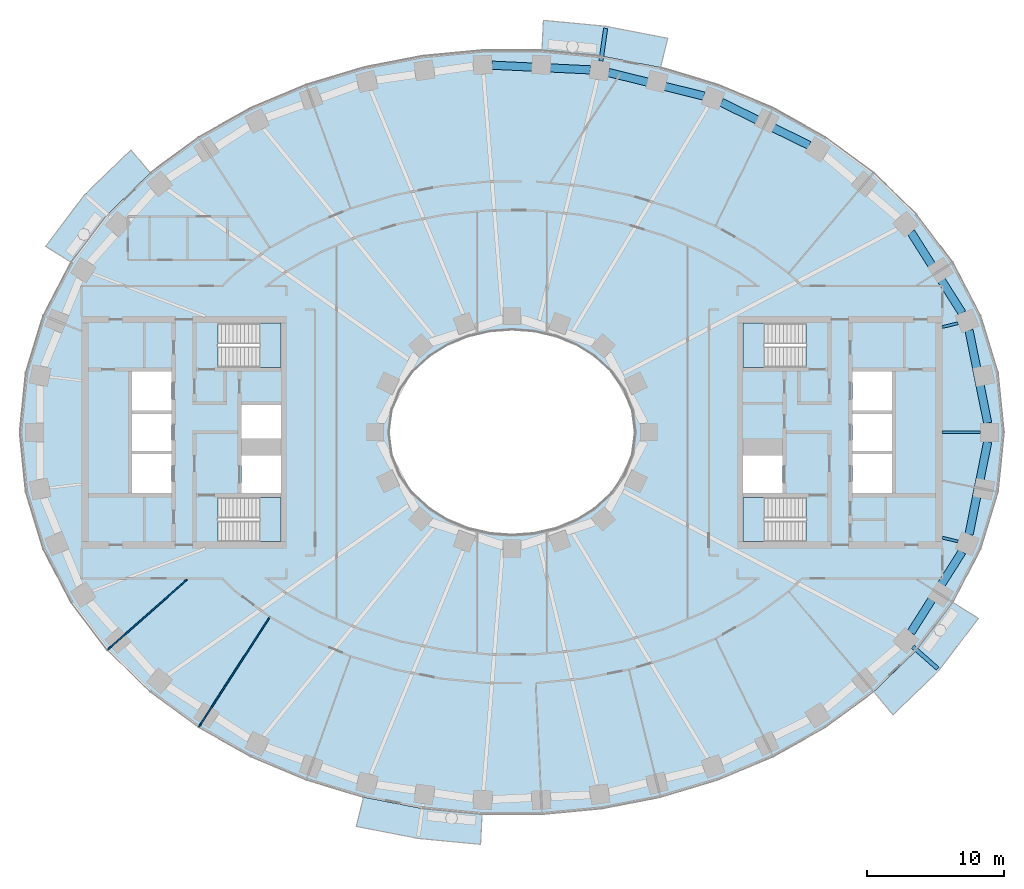
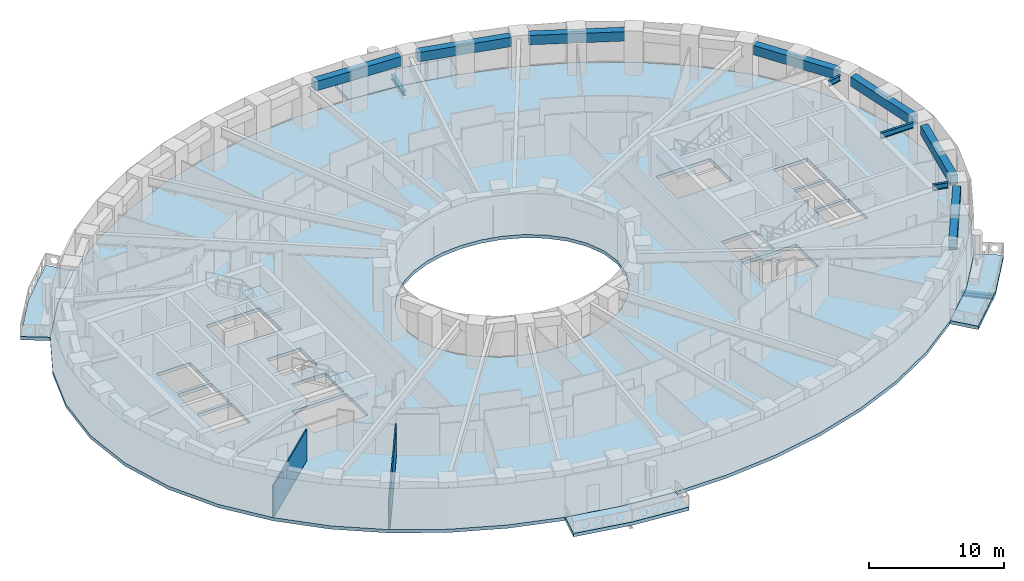
# One storey, part 2 of 16: 12 beams, 9 slabs, 2 walls, 4 elements without a shape of their own.
"""IFC4 building model written with IfcOpenShell, lengths in metres."""

from ifc_helpers import new_model, si_unit, direction, frame, frame_2d, origin, origin_2d, place, context, subcontext, project, spatial, polyline, rectangle, i_section, outline, extrude, material, layer, layer_set, material_profile, profile_set, type_object, element, aggregate, save


model = new_model("IFC4")

# Units and contexts
model_context = context("Model", 3, precision=1e-05, world=origin(), true_north=direction((0.0, 1.0)))
body_context = subcontext(model_context, "Body", "Model", "MODEL_VIEW")
ifc_project = project(units=[si_unit("LENGTHUNIT", "METRE"), si_unit("AREAUNIT", "SQUARE_METRE"), si_unit("VOLUMEUNIT", "CUBIC_METRE"), si_unit("PLANEANGLEUNIT", "RADIAN"), si_unit("MASSUNIT", "GRAM", prefix="KILO")], contexts=[model_context])

# Site, building, storey
site_placement = place(None, origin())
site = spatial("IfcSite", under=ifc_project, at=site_placement, CompositionType="ELEMENT")
building_placement = place(site_placement, origin())
building = spatial("IfcBuilding", under=site, at=building_placement, Name="Noorbagh Ring Tower", CompositionType="ELEMENT")
storey_placement = place(building_placement, frame((0.0, 0.0, 70.5)))
storey = spatial("IfcBuildingStorey", under=building, at=storey_placement, Name="L15", CompositionType="ELEMENT", Elevation=70.5)

# Beams
ifc_material_1 = material(Name="Steel S355", Category="steel")
ifc_material_profile_1 = material_profile(ifc_material_1, i_section(OverallWidth=0.300048828125, OverallDepth=0.39990234375, WebThickness=0.013427734375, FlangeThickness=0.02392578125, FilletRadius=0.027099609375, at=origin_2d()), Name="HEB400")
ifc_profile_set_1 = profile_set([ifc_material_profile_1], Name="Steel S355")
beam_type_1 = type_object("IfcBeamType", Name="STR-BALCONY-BRACKET-HEB400", PredefinedType="BEAM", material=ifc_profile_set_1)
beam_1_placement = place(storey_placement, frame((6.506591796875, 27.163818359375, -0.5), z_axis=(0.143028732143, 0.989718536646, 0.0), x_axis=(-0.989718536646, 0.143028732143, 0.0)))
element("IfcBeam", 1, at=beam_1_placement, inside=storey, type_object=beam_type_1, Name="Balcony bracket beam BN03", PredefinedType="BEAM", context=body_context, shape_type="SweptSolid", body=[
    extrude(i_section(OverallWidth=0.300048828125, OverallDepth=0.39990234375, WebThickness=0.013427734375, FlangeThickness=0.02392578125, FilletRadius=0.027099609375, at=origin_2d()), origin(), (0.0, 0.0, 1.0), 2.423828125),
])
beam_2_placement = place(storey_placement, frame((29.328125, -15.680908203125, -0.5), z_axis=(0.74904259367, -0.662521843314, 0.0), x_axis=(0.662521843314, 0.74904259367, 0.0)))
element("IfcBeam", 2, at=beam_2_placement, inside=storey, type_object=beam_type_1, Name="Balcony bracket beam BS06", PredefinedType="BEAM", context=body_context, shape_type="SweptSolid", body=[
    extrude(i_section(OverallWidth=0.300048828125, OverallDepth=0.39990234375, WebThickness=0.013427734375, FlangeThickness=0.02392578125, FilletRadius=0.027099609375, at=origin_2d()), origin(), (0.0, 0.0, 1.0), 2.429443359375),
])
ifc_material_2 = material(Name="Steel S355", Category="steel")
ifc_material_profile_2 = material_profile(ifc_material_2, i_section(OverallWidth=0.199951171875, OverallDepth=0.5, WebThickness=0.01025390625, FlangeThickness=0.01611328125, FilletRadius=0.02099609375, at=origin_2d()), Name="IPE500")
ifc_profile_set_2 = profile_set([ifc_material_profile_2], Name="Steel S355")
beam_type_2 = type_object("IfcBeamType", Name="STR-RAD-IPE500", PredefinedType="BEAM", material=ifc_profile_set_2)
beam_3_placement = place(storey_placement, frame((34.2646484375, 0.0, 3.449951171875), z_axis=(-1.0, 0.0, 0.0), x_axis=(0.0, -1.0, 0.0)))
element("IfcBeam", 3, at=beam_3_placement, inside=storey, type_object=beam_type_2, Name="L15/bm/RD01", PredefinedType="BEAM", context=body_context, shape_type="SweptSolid", body=[
    extrude(i_section(OverallWidth=0.199951171875, OverallDepth=0.5, WebThickness=0.01025390625, FlangeThickness=0.01611328125, FilletRadius=0.02099609375, at=origin_2d()), origin(), (0.0, 0.0, 1.0), 2.78466796875),
])
for number, where, z_axis, x_axis, name in (
    (4, (32.636962890625, 7.98583984375, 3.449951171875), (-0.971348532858, -0.237659478485, 0.0), (0.237659478485, -0.971348532858, 0.0), "L15/bm/RD03"),
    (5, (32.636962890625, -7.98583984375, 3.449951171875), (-0.971348532858, 0.237659478485, 0.0), (-0.237659478485, -0.971348532858, 0.0), "L15/bm/RD45"),
):
    element("IfcBeam", number, at=place(storey_placement, frame(where, z_axis=z_axis, x_axis=x_axis)), inside=storey, type_object=beam_type_2, Name=name, PredefinedType="BEAM", context=body_context, shape_type="SweptSolid", body=[
        extrude(i_section(OverallWidth=0.199951171875, OverallDepth=0.5, WebThickness=0.01025390625, FlangeThickness=0.01611328125, FilletRadius=0.02099609375, at=origin_2d()), origin(), (0.0, 0.0, 1.0), 1.190673828125),
    ])
ifc_material_3 = material(Name="Concrete C40/50", Category="concrete")
ifc_material_profile_3 = material_profile(ifc_material_3, rectangle(XDim=0.60009765625, YDim=0.85009765625, at=origin_2d()), Name="RC600x850")
ifc_profile_set_3 = profile_set([ifc_material_profile_3], Name="Concrete C40/50")
beam_type_3 = type_object("IfcBeamType", Name="STR-SB-RC600x850-C40-50", PredefinedType="BEAM", material=ifc_profile_set_3)
beam_4_placement = place(storey_placement, frame((34.807861328125, 0.680419921875, 3.27490234375), z_axis=(-0.197227762478, 0.980357694777, 0.0), x_axis=(-0.980357694777, -0.197227762478, 0.0)))
element("IfcBeam", 6, at=beam_4_placement, inside=storey, type_object=beam_type_3, Name="L15/bm/SP01", PredefinedType="BEAM", context=body_context, shape_type="SweptSolid", body=[
    extrude(rectangle(XDim=0.60009765625, YDim=0.85009765625, at=origin_2d()), origin(), (0.0, 0.0, 1.0), 6.92578125),
])
beam_5_placement = place(storey_placement, frame((32.935302734375, 8.733154296875, 3.27490234375), z_axis=(-0.535200543046, 0.844725031429, 0.0), x_axis=(-0.844725031429, -0.535200543046, 0.0)))
element("IfcBeam", 7, at=beam_5_placement, inside=storey, type_object=beam_type_3, Name="L15/bm/SP03", PredefinedType="BEAM", context=body_context, shape_type="SweptSolid", body=[
    extrude(rectangle(XDim=0.60009765625, YDim=0.85009765625, at=origin_2d()), origin(), (0.0, 0.0, 1.0), 7.002685546875),
])
beam_6_placement = place(storey_placement, frame((21.746826171875, 21.000732421875, 3.27490234375), z_axis=(-0.898400530475, 0.43917705637, 0.0), x_axis=(-0.43917705637, -0.898400530475, 0.0)))
element("IfcBeam", 8, at=beam_6_placement, inside=storey, type_object=beam_type_3, Name="L15/bm/SP07", PredefinedType="BEAM", context=body_context, shape_type="SweptSolid", body=[
    extrude(rectangle(XDim=0.60009765625, YDim=0.85009765625, at=origin_2d()), origin(), (0.0, 0.0, 1.0), 7.14892578125),
])
beam_7_placement = place(storey_placement, frame((14.045654296875, 24.604736328125, 3.27490234375), z_axis=(-0.970828401591, 0.239775342069, 0.0), x_axis=(-0.239775342069, -0.970828401591, 0.0)))
element("IfcBeam", 9, at=beam_7_placement, inside=storey, type_object=beam_type_3, Name="L15/bm/SP09", PredefinedType="BEAM", context=body_context, shape_type="SweptSolid", body=[
    extrude(rectangle(XDim=0.60009765625, YDim=0.85009765625, at=origin_2d()), origin(), (0.0, 0.0, 1.0), 7.182373046875),
])
beam_8_placement = place(storey_placement, frame((5.726806640625, 26.5234375, 3.27490234375), z_axis=(-0.998869595741, 0.047534521183, 0.0), x_axis=(-0.047534521183, -0.998869595741, 0.0)))
element("IfcBeam", 10, at=beam_8_placement, inside=storey, type_object=beam_type_3, Name="L15/bm/SP11", PredefinedType="BEAM", context=body_context, shape_type="SweptSolid", body=[
    extrude(rectangle(XDim=0.60009765625, YDim=0.85009765625, at=origin_2d()), origin(), (0.0, 0.0, 1.0), 7.195556640625),
])
beam_9_placement = place(storey_placement, frame((29.1875, -14.6484375, 3.27490234375), z_axis=(0.535200543046, 0.844725031429, 0.0), x_axis=(-0.844725031429, 0.535200543046, 0.0)))
element("IfcBeam", 11, at=beam_9_placement, inside=storey, type_object=beam_type_3, Name="L15/bm/SP43", PredefinedType="BEAM", context=body_context, shape_type="SweptSolid", body=[
    extrude(rectangle(XDim=0.60009765625, YDim=0.85009765625, at=origin_2d()), origin(), (0.0, 0.0, 1.0), 7.002685546875),
])
beam_10_placement = place(storey_placement, frame((33.44189453125, -7.47021484375, 3.27490234375), z_axis=(0.197227762478, 0.980357694777, 0.0), x_axis=(-0.980357694777, 0.197227762478, 0.0)))
element("IfcBeam", 12, at=beam_10_placement, inside=storey, type_object=beam_type_3, Name="L15/bm/SP45", PredefinedType="BEAM", context=body_context, shape_type="SweptSolid", body=[
    extrude(rectangle(XDim=0.60009765625, YDim=0.85009765625, at=origin_2d()), origin(), (0.0, 0.0, 1.0), 6.92578125),
])

# Stair, slab
ifc_material_4 = material(Name="Concrete C40/50", Category="concrete")
stair_type = type_object("IfcStairType", Name="CORE-STAIR", PredefinedType="HALF_TURN_STAIR", material=ifc_material_4)
stair_1_placement = place(storey_placement, origin())
stair_1 = element("IfcStair", 13, at=stair_1_placement, inside=storey, type_object=stair_type, Name="L15 Exit stair ST1", PredefinedType="HALF_TURN_STAIR")
ifc_material_5 = material(Name="Concrete C40/50", Category="concrete")
ifc_layer_1 = layer(ifc_material_5, 0.300048828125)
ifc_layer_set_1 = layer_set([ifc_layer_1], Name="Concrete C40/50")
slab_type_1 = type_object("IfcSlabType", Name="CORE-STAIR-LANDING", PredefinedType="LANDING", material=ifc_layer_set_1)
slab_1_placement = place(storey_placement, frame((0.0, 0.0, 1.699951171875)))
slab_1 = element("IfcSlab", 14, at=slab_1_placement, type_object=slab_type_1, Name="ST1 landing 1", PredefinedType="LANDING", context=body_context, shape_type="SweptSolid", body=[
    extrude(outline(polyline([(-18.449951171875, 4.75), (-16.89990234375, 4.75), (-16.89990234375, 8.0), (-18.449951171875, 8.0), (-18.449951171875, 4.75)])), origin(), (0.0, 0.0, 1.0), 0.300048828125),
])
aggregate(stair_1, [slab_1])

stair_2_placement = place(storey_placement, origin())
stair_2 = element("IfcStair", 15, at=stair_2_placement, inside=storey, type_object=stair_type, Name="L15 Exit stair ST2", PredefinedType="HALF_TURN_STAIR")
slab_2_placement = place(storey_placement, frame((0.0, 0.0, 1.699951171875)))
slab_2 = element("IfcSlab", 16, at=slab_2_placement, type_object=slab_type_1, Name="ST2 landing 1", PredefinedType="LANDING", context=body_context, shape_type="SweptSolid", body=[
    extrude(outline(polyline([(-18.449951171875, -8.0), (-16.89990234375, -8.0), (-16.89990234375, -4.75), (-18.449951171875, -4.75), (-18.449951171875, -8.0)])), origin(), (0.0, 0.0, 1.0), 0.300048828125),
])
aggregate(stair_2, [slab_2])

stair_3_placement = place(storey_placement, origin())
stair_3 = element("IfcStair", 17, at=stair_3_placement, inside=storey, type_object=stair_type, Name="L15 Exit stair ST3", PredefinedType="HALF_TURN_STAIR")
slab_3_placement = place(storey_placement, frame((0.0, 0.0, 1.699951171875)))
slab_3 = element("IfcSlab", 18, at=slab_3_placement, type_object=slab_type_1, Name="ST3 landing 1", PredefinedType="LANDING", context=body_context, shape_type="SweptSolid", body=[
    extrude(outline(polyline([(18.449951171875, 8.0), (16.89990234375, 8.0), (16.89990234375, 4.75), (18.449951171875, 4.75), (18.449951171875, 8.0)])), origin(), (0.0, 0.0, 1.0), 0.300048828125),
])
aggregate(stair_3, [slab_3])

stair_4_placement = place(storey_placement, origin())
stair_4 = element("IfcStair", 19, at=stair_4_placement, inside=storey, type_object=stair_type, Name="L15 Exit stair ST4", PredefinedType="HALF_TURN_STAIR")
slab_4_placement = place(storey_placement, frame((0.0, 0.0, 1.699951171875)))
slab_4 = element("IfcSlab", 20, at=slab_4_placement, type_object=slab_type_1, Name="ST4 landing 1", PredefinedType="LANDING", context=body_context, shape_type="SweptSolid", body=[
    extrude(outline(polyline([(18.449951171875, -4.75), (16.89990234375, -4.75), (16.89990234375, -8.0), (18.449951171875, -8.0), (18.449951171875, -4.75)])), origin(), (0.0, 0.0, 1.0), 0.300048828125),
])
aggregate(stair_4, [slab_4])

# Slabs
ifc_material_6 = material(Name="Concrete C40/50", Category="concrete")
ifc_layer_2 = layer(ifc_material_6, 0.300048828125)
ifc_layer_set_2 = layer_set([ifc_layer_2], Name="Concrete C40/50")
slab_type_2 = type_object("IfcSlabType", Name="ENV-BALCONY DECK 300", PredefinedType="FLOOR", material=ifc_layer_set_2)
slab_5_placement = place(storey_placement, frame((0.0, 0.0, -0.300048828125)))
element("IfcSlab", 21, at=slab_5_placement, inside=storey, type_object=slab_type_2, Name="Tree balcony deck BN03", PredefinedType="FLOOR", context=body_context, shape_type="SweptSolid", body=[
    extrude(outline(polyline([(11.3935546875, 28.832763671875), (6.874755859375, 29.711181640625), (2.2978515625, 30.14794921875), (2.193115234375, 27.947998046875), (6.5595703125, 27.53125), (10.865234375, 26.6943359375), (11.3935546875, 28.832763671875)])), origin(), (0.0, 0.0, 1.0), 0.300048828125),
])
slab_6_placement = place(storey_placement, frame((0.0, 0.0, -0.300048828125)))
element("IfcSlab", 22, at=slab_6_placement, inside=storey, type_object=slab_type_2, Name="Tree balcony deck BN06", PredefinedType="FLOOR", context=body_context, shape_type="SweptSolid", body=[
    extrude(outline(polyline([(-27.888671875, 20.665771484375), (-31.26025390625, 17.389892578125), (-34.120361328125, 13.615966796875), (-32.255126953125, 12.434814453125), (-29.607666015625, 15.92822265625), (-26.463134765625, 18.983154296875), (-27.888671875, 20.665771484375)])), origin(), (0.0, 0.0, 1.0), 0.300048828125),
])
slab_7_placement = place(storey_placement, frame((0.0, 0.0, -0.300048828125)))
element("IfcSlab", 23, at=slab_7_placement, inside=storey, type_object=slab_type_2, Name="Tree balcony deck BS03", PredefinedType="FLOOR", context=body_context, shape_type="SweptSolid", body=[
    extrude(outline(polyline([(-11.3935546875, -28.832763671875), (-6.874755859375, -29.711181640625), (-2.2978515625, -30.14794921875), (-2.193115234375, -27.947998046875), (-6.5595703125, -27.53125), (-10.865234375, -26.6943359375), (-11.3935546875, -28.832763671875)])), origin(), (0.0, 0.0, 1.0), 0.300048828125),
])
slab_8_placement = place(storey_placement, frame((0.0, 0.0, -0.300048828125)))
element("IfcSlab", 24, at=slab_8_placement, inside=storey, type_object=slab_type_2, Name="Tree balcony deck BS06", PredefinedType="FLOOR", context=body_context, shape_type="SweptSolid", body=[
    extrude(outline(polyline([(27.888671875, -20.665771484375), (31.26025390625, -17.389892578125), (34.120361328125, -13.615966796875), (32.255126953125, -12.434814453125), (29.607666015625, -15.92822265625), (26.463134765625, -18.983154296875), (27.888671875, -20.665771484375)])), origin(), (0.0, 0.0, 1.0), 0.300048828125),
])
ifc_material_7 = material(Name="Concrete C40/50", Category="concrete")
ifc_layer_3 = layer(ifc_material_7, 0.300048828125)
ifc_layer_set_3 = layer_set([ifc_layer_3], Name="Concrete C40/50")
slab_type_3 = type_object("IfcSlabType", Name="STR-FLOOR-DECK-300", PredefinedType="FLOOR", material=ifc_layer_set_3)
slab_9_placement = place(storey_placement, frame((0.0, 0.0, -0.300048828125)))
element("IfcSlab", 25, at=slab_9_placement, inside=storey, type_object=slab_type_3, Name="L15/slab/1", PredefinedType="FLOOR", context=body_context, shape_type="SweptSolid", body=[
    extrude(outline(polyline([(36.0, 0.0), (35.56103515625, 4.358642578125), (34.281005859375, 8.548828125), (32.255126953125, 12.434814453125), (29.607666015625, 15.92822265625), (26.463134765625, 18.983154296875), (22.9326171875, 21.583740234375), (19.108154296875, 23.730224609375), (15.0654296875, 25.430419921875), (10.865234375, 26.6943359375), (6.5595703125, 27.53125), (2.193115234375, 27.947998046875), (-2.193115234375, 27.947998046875), (-6.5595703125, 27.53125), (-10.865234375, 26.6943359375), (-15.0654296875, 25.430419921875), (-19.108154296875, 23.730224609375), (-22.9326171875, 21.583740234375), (-26.463134765625, 18.983154296875), (-29.607666015625, 15.92822265625), (-32.255126953125, 12.434814453125), (-34.281005859375, 8.548828125), (-35.56103515625, 4.358642578125), (-36.0, 0.0), (-35.56103515625, -4.358642578125), (-34.281005859375, -8.548828125), (-32.255126953125, -12.434814453125), (-29.607666015625, -15.92822265625), (-26.463134765625, -18.983154296875), (-22.9326171875, -21.583740234375), (-19.108154296875, -23.730224609375), (-15.0654296875, -25.430419921875), (-10.865234375, -26.6943359375), (-6.5595703125, -27.53125), (-2.193115234375, -27.947998046875), (2.193115234375, -27.947998046875), (6.5595703125, -27.53125), (10.865234375, -26.6943359375), (15.0654296875, -25.430419921875), (19.108154296875, -23.730224609375), (22.9326171875, -21.583740234375), (26.463134765625, -18.983154296875), (29.607666015625, -15.92822265625), (32.255126953125, -12.434814453125), (34.281005859375, -8.548828125), (35.56103515625, -4.358642578125), (36.0, 0.0)]), holes=[polyline([(24.89990234375, -1.60009765625), (27.800048828125, -1.60009765625), (27.800048828125, -4.449951171875), (24.89990234375, -4.449951171875), (24.89990234375, -1.60009765625)]), polyline([(24.89990234375, 1.35009765625), (27.800048828125, 1.35009765625), (27.800048828125, -1.35009765625), (24.89990234375, -1.35009765625), (24.89990234375, 1.35009765625)]), polyline([(24.89990234375, 4.449951171875), (27.800048828125, 4.449951171875), (27.800048828125, 1.60009765625), (24.89990234375, 1.60009765625), (24.89990234375, 4.449951171875)]), polyline([(21.529541015625, -4.75), (21.529541015625, -8.0), (16.89990234375, -8.0), (16.89990234375, -4.75), (21.529541015625, -4.75)]), polyline([(21.529541015625, 4.75), (16.89990234375, 4.75), (16.89990234375, 8.0), (21.529541015625, 8.0), (21.529541015625, 4.75)]), polyline([(16.89990234375, -1.699951171875), (19.800048828125, -1.699951171875), (19.800048828125, -4.449951171875), (16.89990234375, -4.449951171875), (16.89990234375, -1.699951171875)]), polyline([(4.697509765625, -6.3974609375), (3.196533203125, -7.010986328125), (1.6171875, -7.3779296875), (0.0, -7.5), (-1.6171875, -7.3779296875), (-3.196533203125, -7.010986328125), (-4.697509765625, -6.3974609375), (-6.071044921875, -5.53662109375), (-7.2587890625, -4.43408203125), (-8.1904296875, -3.10888671875), (-8.79150390625, -1.605224609375), (-9.0, 0.0), (-8.79150390625, 1.605224609375), (-8.1904296875, 3.10888671875), (-7.2587890625, 4.43408203125), (-6.071044921875, 5.53662109375), (-4.697509765625, 6.3974609375), (-3.196533203125, 7.010986328125), (-1.6171875, 7.3779296875), (0.0, 7.5), (1.6171875, 7.3779296875), (3.196533203125, 7.010986328125), (4.697509765625, 6.3974609375), (6.071044921875, 5.53662109375), (7.2587890625, 4.43408203125), (8.1904296875, 3.10888671875), (8.79150390625, 1.605224609375), (9.0, 0.0), (8.79150390625, -1.605224609375), (8.1904296875, -3.10888671875), (7.2587890625, -4.43408203125), (6.071044921875, -5.53662109375), (4.697509765625, -6.3974609375)]), polyline([(-21.529541015625, -8.0), (-21.529541015625, -4.75), (-16.89990234375, -4.75), (-16.89990234375, -8.0), (-21.529541015625, -8.0)]), polyline([(-21.529541015625, 8.0), (-16.89990234375, 8.0), (-16.89990234375, 4.75), (-21.529541015625, 4.75), (-21.529541015625, 8.0)]), polyline([(-16.89990234375, -4.449951171875), (-19.800048828125, -4.449951171875), (-19.800048828125, -1.699951171875), (-16.89990234375, -1.699951171875), (-16.89990234375, -4.449951171875)]), polyline([(-16.89990234375, -0.449951171875), (-19.800048828125, -0.449951171875), (-19.800048828125, 2.0), (-16.89990234375, 2.0), (-16.89990234375, -0.449951171875)]), polyline([(-24.89990234375, -4.449951171875), (-27.800048828125, -4.449951171875), (-27.800048828125, -1.60009765625), (-24.89990234375, -1.60009765625), (-24.89990234375, -4.449951171875)]), polyline([(-24.89990234375, -1.35009765625), (-27.800048828125, -1.35009765625), (-27.800048828125, 1.35009765625), (-24.89990234375, 1.35009765625), (-24.89990234375, -1.35009765625)]), polyline([(-24.89990234375, 1.60009765625), (-27.800048828125, 1.60009765625), (-27.800048828125, 4.449951171875), (-24.89990234375, 4.449951171875), (-24.89990234375, 1.60009765625)])]), origin(), (0.0, 0.0, 1.0), 0.300048828125),
])

# Walls
ifc_material_8 = material(Name="Gypsum board on steel studs", Category="steel")
ifc_layer_4 = layer(ifc_material_8, 0.10009765625)
ifc_layer_set_4 = layer_set([ifc_layer_4], Name="Gypsum board on steel studs")
wall_type = type_object("IfcWallType", Name="PARTITION 100 GYPSUM", PredefinedType="PARTITIONING", material=ifc_layer_set_4)
wall_1_placement = place(storey_placement, frame((-29.569091796875, -15.89501953125, 0.0), z_axis=(0.0, 0.0, 1.0), x_axis=(0.748985701008, 0.662586160198, 0.0)))
element("IfcWall", 26, at=wall_1_placement, inside=storey, type_object=wall_type, Name="L15/wall/P06", PredefinedType="PARTITIONING", context=body_context, shape_type="SweptSolid", body=[
    extrude(rectangle(XDim=7.72265625, YDim=0.10009765625, at=frame_2d((3.861328125, 0.0))), origin(), (0.0, 0.0, 1.0), 2.85009765625),
])
wall_2_placement = place(storey_placement, frame((-22.905029296875, -21.5419921875, 0.0), z_axis=(0.0, 0.0, 1.0), x_axis=(0.542244314938, 0.840220865557, 0.0)))
element("IfcWall", 27, at=wall_2_placement, inside=storey, type_object=wall_type, Name="L15/wall/P14", PredefinedType="PARTITIONING", context=body_context, shape_type="SweptSolid", body=[
    extrude(rectangle(XDim=9.56396484375, YDim=0.10009765625, at=frame_2d((4.781982421875, 0.0))), origin(), (0.0, 0.0, 1.0), 2.85009765625),
])

save(model, "model.ifc")
